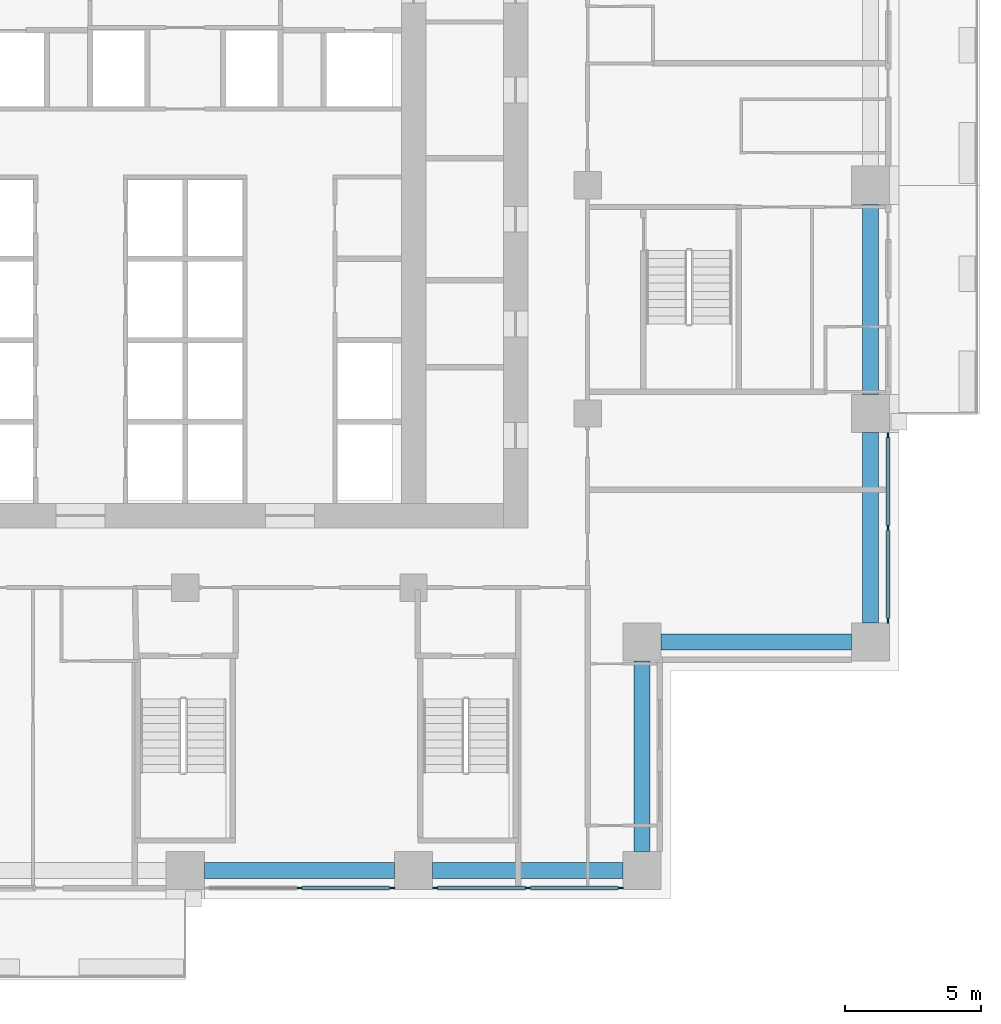
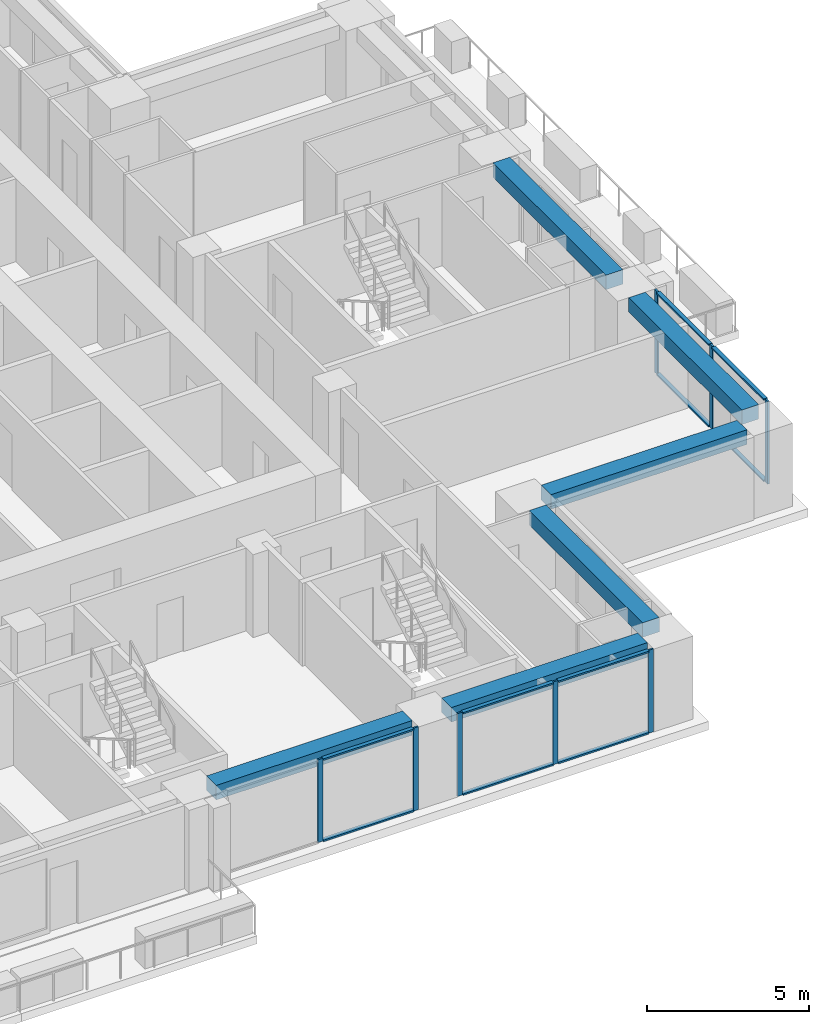
# One storey, part 4 of 17: 18 members, 6 beams, 3 elements without a shape of their own.
"""IFC4 building model written with IfcOpenShell, lengths in metres."""

from ifc_helpers import new_model, si_unit, direction, frame, origin, origin_2d, place, context, subcontext, project, spatial, rectangle, extrude, material, material_profile, profile_set, type_object, element, aggregate, save


model = new_model("IFC4")

# Units and contexts
model_context = context("Model", 3, precision=1e-05, world=origin(), true_north=direction((0.0, 1.0)))
body_context = subcontext(model_context, "Body", "Model", "MODEL_VIEW")
ifc_project = project(units=[si_unit("LENGTHUNIT", "METRE"), si_unit("AREAUNIT", "SQUARE_METRE"), si_unit("VOLUMEUNIT", "CUBIC_METRE"), si_unit("PLANEANGLEUNIT", "RADIAN"), si_unit("MASSUNIT", "GRAM", prefix="KILO")], contexts=[model_context])

# Site, building, storey
site_placement = place(None, origin())
site = spatial("IfcSite", under=ifc_project, at=site_placement, CompositionType="ELEMENT")
building_placement = place(site_placement, origin())
building = spatial("IfcBuilding", under=site, at=building_placement, Name="Vermilion Ogive Tower", CompositionType="ELEMENT")
storey_placement = place(building_placement, frame((0.0, 0.0, 58.64990234375)))
storey = spatial("IfcBuildingStorey", under=building, at=storey_placement, Name="L13", CompositionType="ELEMENT", Elevation=58.64990234375)

# Curtain wall, members
ifc_material_1 = material(Name="Low-iron laminated glazing in aluminium frame", Category="aluminium")
curtain_wall_type = type_object("IfcCurtainWallType", Name="Curtain wall CW7", PredefinedType="NOTDEFINED", material=ifc_material_1)
curtain_wall_1_placement = place(storey_placement, origin())
curtain_wall_1 = element("IfcCurtainWall", 1, at=curtain_wall_1_placement, inside=storey, type_object=curtain_wall_type, Name="Glazed skin S3", PredefinedType="NOTDEFINED")
ifc_material_2 = material(Name="Aluminium mullion", Category="aluminium")
ifc_material_profile_1 = material_profile(ifc_material_2, rectangle(XDim=0.06005859375, YDim=0.179931640625, at=origin_2d()), Name="AL 60x180")
ifc_profile_set_1 = profile_set([ifc_material_profile_1], Name="Aluminium mullion")
member_type_1 = type_object("IfcMemberType", Name="CW7 mullion 60x180", PredefinedType="MULLION", material=ifc_profile_set_1)
member_1_placement = place(storey_placement, frame((4.199951171875, -21.64990234375, 0.0), z_axis=(0.0, 0.0, 1.0), x_axis=(0.0, 1.0, 0.0)))
member_1 = element("IfcMember", 2, at=member_1_placement, type_object=member_type_1, Name="CW7-S3 mullion 2", PredefinedType="MULLION", context=body_context, shape_type="SweptSolid", body=[
    extrude(rectangle(XDim=0.06005859375, YDim=0.179931640625, at=origin_2d()), origin(), (0.0, 0.0, 1.0), 3.130126953125),
])
member_2_placement = place(storey_placement, frame((7.610107421875, -21.64990234375, 0.0), z_axis=(0.0, 0.0, 1.0), x_axis=(0.0, 1.0, 0.0)))
member_2 = element("IfcMember", 3, at=member_2_placement, type_object=member_type_1, Name="CW7-S3 mullion 3", PredefinedType="MULLION", context=body_context, shape_type="SweptSolid", body=[
    extrude(rectangle(XDim=0.06005859375, YDim=0.179931640625, at=origin_2d()), origin(), (0.0, 0.0, 1.0), 3.130126953125),
])

curtain_wall_2_placement = place(storey_placement, origin())
curtain_wall_2 = element("IfcCurtainWall", 4, at=curtain_wall_2_placement, inside=storey, type_object=curtain_wall_type, Name="Glazed skin S4", PredefinedType="NOTDEFINED")
member_3_placement = place(storey_placement, frame((9.18994140625, -21.64990234375, 0.0), z_axis=(0.0, 0.0, 1.0), x_axis=(0.0, 1.0, 0.0)))
member_3 = element("IfcMember", 5, at=member_3_placement, type_object=member_type_1, Name="CW7-S4 mullion 1", PredefinedType="MULLION", context=body_context, shape_type="SweptSolid", body=[
    extrude(rectangle(XDim=0.06005859375, YDim=0.179931640625, at=origin_2d()), origin(), (0.0, 0.0, 1.0), 3.130126953125),
])
member_4_placement = place(storey_placement, frame((12.60009765625, -21.64990234375, 0.0), z_axis=(0.0, 0.0, 1.0), x_axis=(0.0, 1.0, 0.0)))
member_4 = element("IfcMember", 6, at=member_4_placement, type_object=member_type_1, Name="CW7-S4 mullion 2", PredefinedType="MULLION", context=body_context, shape_type="SweptSolid", body=[
    extrude(rectangle(XDim=0.06005859375, YDim=0.179931640625, at=origin_2d()), origin(), (0.0, 0.0, 1.0), 3.130126953125),
])
member_5_placement = place(storey_placement, frame((16.010009765625, -21.64990234375, 0.0), z_axis=(0.0, 0.0, 1.0), x_axis=(0.0, 1.0, 0.0)))
member_5 = element("IfcMember", 7, at=member_5_placement, type_object=member_type_1, Name="CW7-S4 mullion 3", PredefinedType="MULLION", context=body_context, shape_type="SweptSolid", body=[
    extrude(rectangle(XDim=0.06005859375, YDim=0.179931640625, at=origin_2d()), origin(), (0.0, 0.0, 1.0), 3.130126953125),
])

curtain_wall_3_placement = place(storey_placement, origin())
curtain_wall_3 = element("IfcCurtainWall", 8, at=curtain_wall_3_placement, inside=storey, type_object=curtain_wall_type, Name="Glazed skin E1", PredefinedType="NOTDEFINED")
member_6_placement = place(storey_placement, frame((25.85009765625, -11.81005859375, 0.0), z_axis=(0.0, 0.0, 1.0), x_axis=(-1.0, 0.0, 0.0)))
member_6 = element("IfcMember", 9, at=member_6_placement, type_object=member_type_1, Name="CW7-E1 mullion 1", PredefinedType="MULLION", context=body_context, shape_type="SweptSolid", body=[
    extrude(rectangle(XDim=0.06005859375, YDim=0.179931640625, at=origin_2d()), origin(), (0.0, 0.0, 1.0), 3.130126953125),
])
member_7_placement = place(storey_placement, frame((25.85009765625, -8.39990234375, 0.0), z_axis=(0.0, 0.0, 1.0), x_axis=(-1.0, 0.0, 0.0)))
member_7 = element("IfcMember", 10, at=member_7_placement, type_object=member_type_1, Name="CW7-E1 mullion 2", PredefinedType="MULLION", context=body_context, shape_type="SweptSolid", body=[
    extrude(rectangle(XDim=0.06005859375, YDim=0.179931640625, at=origin_2d()), origin(), (0.0, 0.0, 1.0), 3.130126953125),
])
member_8_placement = place(storey_placement, frame((25.85009765625, -4.989990234375, 0.0), z_axis=(0.0, 0.0, 1.0), x_axis=(-1.0, 0.0, 0.0)))
member_8 = element("IfcMember", 11, at=member_8_placement, type_object=member_type_1, Name="CW7-E1 mullion 3", PredefinedType="MULLION", context=body_context, shape_type="SweptSolid", body=[
    extrude(rectangle(XDim=0.06005859375, YDim=0.179931640625, at=origin_2d()), origin(), (0.0, 0.0, 1.0), 3.130126953125),
])

# Member
ifc_material_3 = material(Name="Aluminium transom", Category="aluminium")
ifc_material_profile_2 = material_profile(ifc_material_3, rectangle(XDim=0.139892578125, YDim=0.06005859375, at=origin_2d()), Name="AL 60x140")
ifc_profile_set_2 = profile_set([ifc_material_profile_2], Name="Aluminium transom")
member_type_2 = type_object("IfcMemberType", Name="CW7 transom 60x140", PredefinedType="USERDEFINED", material=ifc_profile_set_2)
member_9_placement = place(storey_placement, frame((4.2900390625, -21.64990234375, 0.030029296875), z_axis=(1.0, 0.0, 0.0), x_axis=(0.0, 1.0, 0.0)))
member_9 = element("IfcMember", 12, at=member_9_placement, type_object=member_type_2, Name="CW7-S3 transom 2.1", ObjectType="TRANSOM", PredefinedType="USERDEFINED", context=body_context, shape_type="SweptSolid", body=[
    extrude(rectangle(XDim=0.139892578125, YDim=0.06005859375, at=origin_2d()), origin(), (0.0, 0.0, 1.0), 3.22998046875),
])

member_10_placement = place(storey_placement, frame((4.2900390625, -21.64990234375, 3.10009765625), z_axis=(1.0, 0.0, 0.0), x_axis=(0.0, 1.0, 0.0)))
member_10 = element("IfcMember", 13, at=member_10_placement, type_object=member_type_2, Name="CW7-S3 transom 2.2", ObjectType="TRANSOM", PredefinedType="USERDEFINED", context=body_context, shape_type="SweptSolid", body=[
    extrude(rectangle(XDim=0.139892578125, YDim=0.06005859375, at=origin_2d()), origin(), (0.0, 0.0, 1.0), 3.22998046875),
])

aggregate(curtain_wall_1, [member_1, member_2, member_9, member_10])

member_11_placement = place(storey_placement, frame((9.280029296875, -21.64990234375, 0.030029296875), z_axis=(1.0, 0.0, 0.0), x_axis=(0.0, 1.0, 0.0)))
member_11 = element("IfcMember", 14, at=member_11_placement, type_object=member_type_2, Name="CW7-S4 transom 1.1", ObjectType="TRANSOM", PredefinedType="USERDEFINED", context=body_context, shape_type="SweptSolid", body=[
    extrude(rectangle(XDim=0.139892578125, YDim=0.06005859375, at=origin_2d()), origin(), (0.0, 0.0, 1.0), 3.22998046875),
])

member_12_placement = place(storey_placement, frame((9.280029296875, -21.64990234375, 3.10009765625), z_axis=(1.0, 0.0, 0.0), x_axis=(0.0, 1.0, 0.0)))
member_12 = element("IfcMember", 15, at=member_12_placement, type_object=member_type_2, Name="CW7-S4 transom 1.2", ObjectType="TRANSOM", PredefinedType="USERDEFINED", context=body_context, shape_type="SweptSolid", body=[
    extrude(rectangle(XDim=0.139892578125, YDim=0.06005859375, at=origin_2d()), origin(), (0.0, 0.0, 1.0), 3.22998046875),
])

member_13_placement = place(storey_placement, frame((12.68994140625, -21.64990234375, 0.030029296875), z_axis=(1.0, 0.0, 0.0), x_axis=(0.0, 1.0, 0.0)))
member_13 = element("IfcMember", 16, at=member_13_placement, type_object=member_type_2, Name="CW7-S4 transom 2.1", ObjectType="TRANSOM", PredefinedType="USERDEFINED", context=body_context, shape_type="SweptSolid", body=[
    extrude(rectangle(XDim=0.139892578125, YDim=0.06005859375, at=origin_2d()), origin(), (0.0, 0.0, 1.0), 3.22998046875),
])

member_14_placement = place(storey_placement, frame((12.68994140625, -21.64990234375, 3.10009765625), z_axis=(1.0, 0.0, 0.0), x_axis=(0.0, 1.0, 0.0)))
member_14 = element("IfcMember", 17, at=member_14_placement, type_object=member_type_2, Name="CW7-S4 transom 2.2", ObjectType="TRANSOM", PredefinedType="USERDEFINED", context=body_context, shape_type="SweptSolid", body=[
    extrude(rectangle(XDim=0.139892578125, YDim=0.06005859375, at=origin_2d()), origin(), (0.0, 0.0, 1.0), 3.22998046875),
])

aggregate(curtain_wall_2, [member_3, member_4, member_5, member_11, member_12, member_13, member_14])

member_15_placement = place(storey_placement, frame((25.85009765625, -11.719970703125, 0.030029296875), z_axis=(0.0, 1.0, 0.0), x_axis=(-1.0, 0.0, 0.0)))
member_15 = element("IfcMember", 18, at=member_15_placement, type_object=member_type_2, Name="CW7-E1 transom 1.1", ObjectType="TRANSOM", PredefinedType="USERDEFINED", context=body_context, shape_type="SweptSolid", body=[
    extrude(rectangle(XDim=0.139892578125, YDim=0.06005859375, at=origin_2d()), origin(), (0.0, 0.0, 1.0), 3.22998046875),
])

member_16_placement = place(storey_placement, frame((25.85009765625, -11.719970703125, 3.10009765625), z_axis=(0.0, 1.0, 0.0), x_axis=(-1.0, 0.0, 0.0)))
member_16 = element("IfcMember", 19, at=member_16_placement, type_object=member_type_2, Name="CW7-E1 transom 1.2", ObjectType="TRANSOM", PredefinedType="USERDEFINED", context=body_context, shape_type="SweptSolid", body=[
    extrude(rectangle(XDim=0.139892578125, YDim=0.06005859375, at=origin_2d()), origin(), (0.0, 0.0, 1.0), 3.22998046875),
])

member_17_placement = place(storey_placement, frame((25.85009765625, -8.31005859375, 0.030029296875), z_axis=(0.0, 1.0, 0.0), x_axis=(-1.0, 0.0, 0.0)))
member_17 = element("IfcMember", 20, at=member_17_placement, type_object=member_type_2, Name="CW7-E1 transom 2.1", ObjectType="TRANSOM", PredefinedType="USERDEFINED", context=body_context, shape_type="SweptSolid", body=[
    extrude(rectangle(XDim=0.139892578125, YDim=0.06005859375, at=origin_2d()), origin(), (0.0, 0.0, 1.0), 3.22998046875),
])

member_18_placement = place(storey_placement, frame((25.85009765625, -8.31005859375, 3.10009765625), z_axis=(0.0, 1.0, 0.0), x_axis=(-1.0, 0.0, 0.0)))
member_18 = element("IfcMember", 21, at=member_18_placement, type_object=member_type_2, Name="CW7-E1 transom 2.2", ObjectType="TRANSOM", PredefinedType="USERDEFINED", context=body_context, shape_type="SweptSolid", body=[
    extrude(rectangle(XDim=0.139892578125, YDim=0.06005859375, at=origin_2d()), origin(), (0.0, 0.0, 1.0), 3.22998046875),
])

aggregate(curtain_wall_3, [member_6, member_7, member_8, member_15, member_16, member_17, member_18])

# Beams
ifc_material_4 = material(Name="Concrete B45", Category="concrete")
ifc_material_profile_3 = material_profile(ifc_material_4, rectangle(XDim=0.60009765625, YDim=0.550048828125, at=origin_2d()), Name="600 x 550")
ifc_profile_set_3 = profile_set([ifc_material_profile_3], Name="Concrete B45")
beam_type = type_object("IfcBeamType", Name="Edge beam 600 x 550 B45", PredefinedType="BEAM", material=ifc_profile_set_3)
for number, where, z_axis, x_axis, name in (
    (22, (0.699951171875, -21.0, 2.85498046875), (1.0, 0.0, 0.0), (0.0, 1.0, 0.0), "L13-EB-3"),
    (23, (9.10009765625, -21.0, 2.85498046875), (1.0, 0.0, 0.0), (0.0, 1.0, 0.0), "L13-EB-4"),
    (24, (16.800048828125, -20.300048828125, 2.85498046875), (0.0, 1.0, 0.0), (-1.0, 0.0, 0.0), "L13-EB-5"),
    (25, (17.5, -12.60009765625, 2.85498046875), (1.0, 0.0, 0.0), (0.0, 1.0, 0.0), "L13-EB-6"),
    (26, (25.199951171875, -11.89990234375, 2.85498046875), (0.0, 1.0, 0.0), (-1.0, 0.0, 0.0), "L13-EB-7"),
    (27, (25.199951171875, -3.5, 2.85498046875), (0.0, 1.0, 0.0), (-1.0, 0.0, 0.0), "L13-EB-8"),
):
    element("IfcBeam", number, at=place(storey_placement, frame(where, z_axis=z_axis, x_axis=x_axis)), inside=storey, type_object=beam_type, Name=name, PredefinedType="BEAM", context=body_context, shape_type="SweptSolid", body=[
        extrude(rectangle(XDim=0.60009765625, YDim=0.550048828125, at=origin_2d()), origin(), (0.0, 0.0, 1.0), 7.0),
    ])

save(model, "model.ifc")
